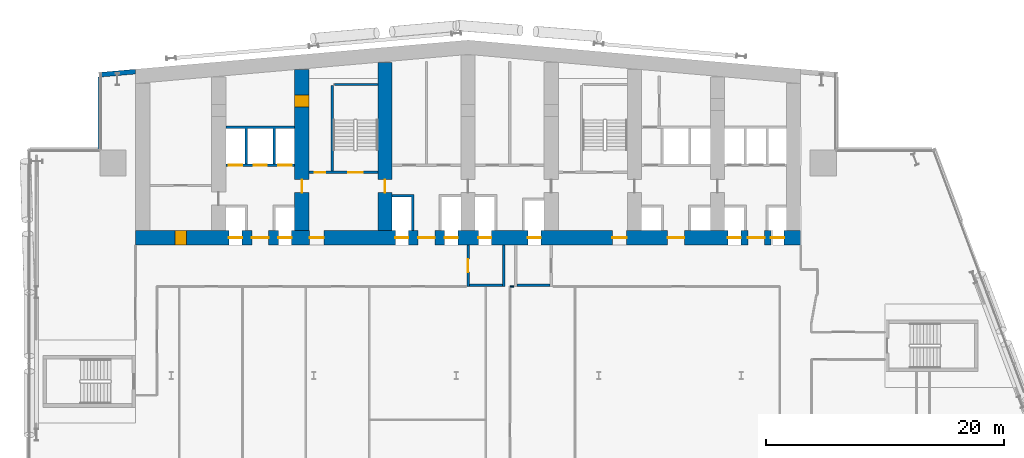
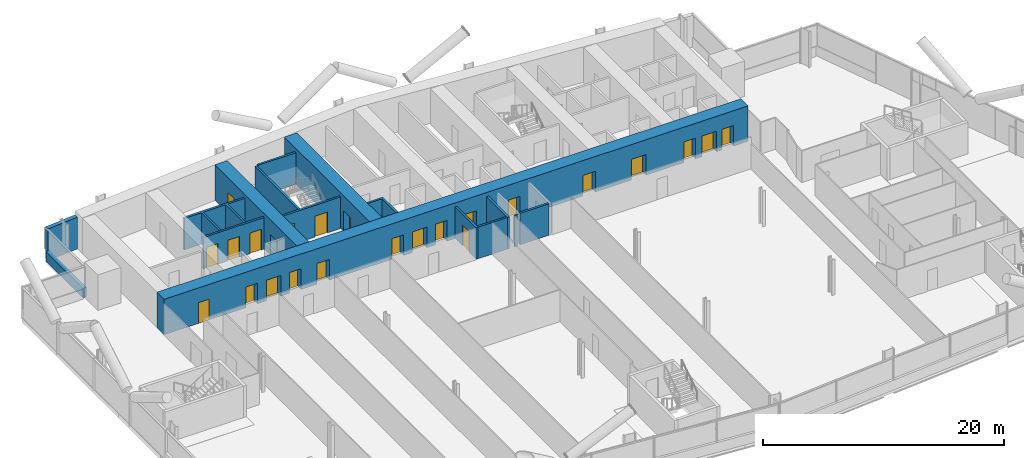
# One storey, part 14 of 25: 24 doors, 16 walls, 24 openings.
"""IFC4 building model written with IfcOpenShell, lengths in metres."""

from ifc_helpers import new_model, si_unit, direction, frame, frame_2d, origin, place, context, subcontext, project, spatial, polyline, rectangle, outline, extrude, material, layer, layer_set, type_object, element, fill, save


model = new_model("IFC4")

# Units and contexts
model_context = context("Model", 3, precision=1e-05, world=origin(), true_north=direction((0.0, 1.0)))
body_context = subcontext(model_context, "Body", "Model", "MODEL_VIEW")
ifc_project = project(units=[si_unit("LENGTHUNIT", "METRE"), si_unit("AREAUNIT", "SQUARE_METRE"), si_unit("VOLUMEUNIT", "CUBIC_METRE"), si_unit("PLANEANGLEUNIT", "RADIAN"), si_unit("MASSUNIT", "GRAM", prefix="KILO")], contexts=[model_context])

# Site, building, storey
site_placement = place(None, origin())
site = spatial("IfcSite", under=ifc_project, at=site_placement, CompositionType="ELEMENT")
building_placement = place(site_placement, origin())
building = spatial("IfcBuilding", under=site, at=building_placement, Name="Wharfspan Tower", CompositionType="ELEMENT")
storey_placement = place(building_placement, frame((0.0, 0.0, 70.300049)))
storey = spatial("IfcBuildingStorey", under=building, at=storey_placement, Name="L14", CompositionType="ELEMENT", Elevation=70.300049)

# Wall
ifc_material_1 = material(Name="Gypsum board on steel studs", Category="steel")
ifc_layer_1 = layer(ifc_material_1, 0.100098)
ifc_layer_set_1 = layer_set([ifc_layer_1], Name="Gypsum board on steel studs")
wall_type_1 = type_object("IfcWallType", Name="Compartment wall 100 EI 60", PredefinedType="PARTITIONING", material=ifc_layer_set_1)
wall_1_placement = place(storey_placement, frame((40.534912, 30.5, 0.0), z_axis=(0.0, 0.0, 1.0), x_axis=(1.0, 0.0, 0.0)))
element("IfcWall", 1, at=wall_1_placement, inside=storey, type_object=wall_type_1, Name="Partition L14.w018", PredefinedType="PARTITIONING", context=body_context, shape_type="SweptSolid", body=[
    extrude(rectangle(XDim=0.315186, YDim=0.100098, at=frame_2d((0.157715, 0.0))), origin(), (0.0, 0.0, 1.0), 3.199951),
])

# Wall, openings, doors
ifc_material_2 = material(Name="Concrete C70/85", Category="concrete")
ifc_layer_2 = layer(ifc_material_2, 1.199951)
ifc_layer_set_2 = layer_set([ifc_layer_2], Name="Concrete C70/85")
wall_type_2 = type_object("IfcWallType", Name="Core wall 1200 C70/85", PredefinedType="SHEAR", material=ifc_layer_set_2)
wall_2_placement = place(storey_placement, frame((9.0, 34.600098, 0.0), z_axis=(0.0, 0.0, 1.0), x_axis=(1.0, 0.0, 0.0)))
wall_2 = element("IfcWall", 2, at=wall_2_placement, inside=storey, type_object=wall_type_2, Name="Core front wall L14", PredefinedType="SHEAR", context=body_context, shape_type="SweptSolid", body=[
    extrude(rectangle(XDim=56.0, YDim=1.199951, at=frame_2d((28.0, 0.0))), origin(), (0.0, 0.0, 1.0), 3.599854),
])
opening_1_placement = place(wall_2_placement, frame((3.300049, 0.0, 0.0)))
opening_1 = element("IfcOpeningElement", 3, at=opening_1_placement, cuts=wall_2, Name="Opening CD14.01", PredefinedType="OPENING", context=body_context, shape_type="SweptSolid", body=[
    extrude(rectangle(XDim=1.0, YDim=2.100098, at=frame_2d((0.5, 1.050049))), frame((0.0, 0.609863, 0.0), z_axis=(0.0, -1.0, 0.0), x_axis=(1.0, 0.0, 0.0)), (0.0, 0.0, 1.0), 1.219971),
])
opening_2_placement = place(wall_2_placement, frame((7.866699, 0.0, 0.0)))
opening_2 = element("IfcOpeningElement", 4, at=opening_2_placement, cuts=wall_2, Name="Opening LD.LA1.L14", PredefinedType="OPENING", context=body_context, shape_type="SweptSolid", body=[
    extrude(rectangle(XDim=1.100098, YDim=2.100098, at=frame_2d((0.550049, 1.050049))), frame((0.0, 0.609863, 0.0), z_axis=(0.0, -1.0, 0.0), x_axis=(1.0, 0.0, 0.0)), (0.0, 0.0, 1.0), 1.219971),
])
opening_3_placement = place(wall_2_placement, frame((12.033203, 0.0, 0.0)))
opening_3 = element("IfcOpeningElement", 5, at=opening_3_placement, cuts=wall_2, Name="Opening LD.LA2.L14", PredefinedType="OPENING", context=body_context, shape_type="SweptSolid", body=[
    extrude(rectangle(XDim=1.100098, YDim=2.100098, at=frame_2d((0.550049, 1.050049))), frame((0.0, 0.609863, 0.0), z_axis=(0.0, -1.0, 0.0), x_axis=(1.0, 0.0, 0.0)), (0.0, 0.0, 1.0), 1.219971),
])
opening_4_placement = place(wall_2_placement, frame((9.800049, 0.0, 0.0)))
opening_4 = element("IfcOpeningElement", 6, at=opening_4_placement, cuts=wall_2, Name="Opening HD14.1", PredefinedType="OPENING", context=body_context, shape_type="SweptSolid", body=[
    extrude(rectangle(XDim=1.399902, YDim=2.100098, at=frame_2d((0.699951, 1.050049))), frame((0.0, 0.609863, 0.0), z_axis=(0.0, -1.0, 0.0), x_axis=(1.0, 0.0, 0.0)), (0.0, 0.0, 1.0), 1.219971),
])
opening_5_placement = place(wall_2_placement, frame((14.649902, 0.0, 0.0)))
opening_5 = element("IfcOpeningElement", 7, at=opening_5_placement, cuts=wall_2, Name="Opening SV2.L14", PredefinedType="OPENING", context=body_context, shape_type="SweptSolid", body=[
    extrude(rectangle(XDim=1.199951, YDim=2.100098, at=frame_2d((0.600098, 1.050049))), frame((0.0, 0.609863, 0.0), z_axis=(0.0, -1.0, 0.0), x_axis=(1.0, 0.0, 0.0)), (0.0, 0.0, 1.0), 1.219971),
])
opening_6_placement = place(wall_2_placement, frame((21.866699, 0.0, 0.0)))
opening_6 = element("IfcOpeningElement", 8, at=opening_6_placement, cuts=wall_2, Name="Opening LD.SL1.L14", PredefinedType="OPENING", context=body_context, shape_type="SweptSolid", body=[
    extrude(rectangle(XDim=1.100098, YDim=2.100098, at=frame_2d((0.550049, 1.050049))), frame((0.0, 0.609863, 0.0), z_axis=(0.0, -1.0, 0.0), x_axis=(1.0, 0.0, 0.0)), (0.0, 0.0, 1.0), 1.219971),
])
opening_7_placement = place(wall_2_placement, frame((26.033203, 0.0, 0.0)))
opening_7 = element("IfcOpeningElement", 9, at=opening_7_placement, cuts=wall_2, Name="Opening LD.SL2.L14", PredefinedType="OPENING", context=body_context, shape_type="SweptSolid", body=[
    extrude(rectangle(XDim=1.100098, YDim=2.100098, at=frame_2d((0.550049, 1.050049))), frame((0.0, 0.609863, 0.0), z_axis=(0.0, -1.0, 0.0), x_axis=(1.0, 0.0, 0.0)), (0.0, 0.0, 1.0), 1.219971),
])
opening_8_placement = place(wall_2_placement, frame((23.800049, 0.0, 0.0)))
opening_8 = element("IfcOpeningElement", 10, at=opening_8_placement, cuts=wall_2, Name="Opening HD14.3", PredefinedType="OPENING", context=body_context, shape_type="SweptSolid", body=[
    extrude(rectangle(XDim=1.399902, YDim=2.100098, at=frame_2d((0.699951, 1.050049))), frame((0.0, 0.609863, 0.0), z_axis=(0.0, -1.0, 0.0), x_axis=(1.0, 0.0, 0.0)), (0.0, 0.0, 1.0), 1.219971),
])
opening_9_placement = place(wall_2_placement, frame((28.866699, 0.0, 0.0)))
opening_9 = element("IfcOpeningElement", 11, at=opening_9_placement, cuts=wall_2, Name="Opening LD.FF1.L14", PredefinedType="OPENING", context=body_context, shape_type="SweptSolid", body=[
    extrude(rectangle(XDim=1.100098, YDim=2.100098, at=frame_2d((0.550049, 1.050049))), frame((0.0, 0.609863, 0.0), z_axis=(0.0, -1.0, 0.0), x_axis=(1.0, 0.0, 0.0)), (0.0, 0.0, 1.0), 1.219971),
])
opening_10_placement = place(wall_2_placement, frame((33.033203, 0.0, 0.0)))
opening_10 = element("IfcOpeningElement", 12, at=opening_10_placement, cuts=wall_2, Name="Opening LD.FF2.L14", PredefinedType="OPENING", context=body_context, shape_type="SweptSolid", body=[
    extrude(rectangle(XDim=1.100098, YDim=2.100098, at=frame_2d((0.550049, 1.050049))), frame((0.0, 0.609863, 0.0), z_axis=(0.0, -1.0, 0.0), x_axis=(1.0, 0.0, 0.0)), (0.0, 0.0, 1.0), 1.219971),
])
opening_11_placement = place(wall_2_placement, frame((40.149902, 0.0, 0.0)))
opening_11 = element("IfcOpeningElement", 13, at=opening_11_placement, cuts=wall_2, Name="Opening SV5.L14", PredefinedType="OPENING", context=body_context, shape_type="SweptSolid", body=[
    extrude(rectangle(XDim=1.199951, YDim=2.100098, at=frame_2d((0.600098, 1.050049))), frame((0.0, 0.609863, 0.0), z_axis=(0.0, -1.0, 0.0), x_axis=(1.0, 0.0, 0.0)), (0.0, 0.0, 1.0), 1.219971),
])
opening_12_placement = place(wall_2_placement, frame((44.800049, 0.0, 0.0)))
opening_12 = element("IfcOpeningElement", 14, at=opening_12_placement, cuts=wall_2, Name="Opening HD14.6", PredefinedType="OPENING", context=body_context, shape_type="SweptSolid", body=[
    extrude(rectangle(XDim=1.399902, YDim=2.100098, at=frame_2d((0.699951, 1.050049))), frame((0.0, 0.609863, 0.0), z_axis=(0.0, -1.0, 0.0), x_axis=(1.0, 0.0, 0.0)), (0.0, 0.0, 1.0), 1.219971),
])
opening_13_placement = place(wall_2_placement, frame((49.866699, 0.0, 0.0)))
opening_13 = element("IfcOpeningElement", 15, at=opening_13_placement, cuts=wall_2, Name="Opening LD.LA6.L14", PredefinedType="OPENING", context=body_context, shape_type="SweptSolid", body=[
    extrude(rectangle(XDim=1.100098, YDim=2.100098, at=frame_2d((0.550049, 1.050049))), frame((0.0, 0.609863, 0.0), z_axis=(0.0, -1.0, 0.0), x_axis=(1.0, 0.0, 0.0)), (0.0, 0.0, 1.0), 1.219971),
])
opening_14_placement = place(wall_2_placement, frame((53.5, 0.0, 0.0)))
opening_14 = element("IfcOpeningElement", 16, at=opening_14_placement, cuts=wall_2, Name="Opening LD.LA7.L14", PredefinedType="OPENING", context=body_context, shape_type="SweptSolid", body=[
    extrude(rectangle(XDim=1.100098, YDim=2.100098, at=frame_2d((0.550049, 1.050049))), frame((0.0, 0.609863, 0.0), z_axis=(0.0, -1.0, 0.0), x_axis=(1.0, 0.0, 0.0)), (0.0, 0.0, 1.0), 1.219971),
])
opening_15_placement = place(wall_2_placement, frame((51.56665, 0.0, 0.0)))
opening_15 = element("IfcOpeningElement", 17, at=opening_15_placement, cuts=wall_2, Name="Opening HD14.7", PredefinedType="OPENING", context=body_context, shape_type="SweptSolid", body=[
    extrude(rectangle(XDim=1.399902, YDim=2.100098, at=frame_2d((0.699951, 1.050049))), frame((0.0, 0.609863, 0.0), z_axis=(0.0, -1.0, 0.0), x_axis=(1.0, 0.0, 0.0)), (0.0, 0.0, 1.0), 1.219971),
])
ifc_material_3 = material(Name="Steel door leaf", Category="steel")
door_type_1 = type_object("IfcDoorType", Name="Core room door 1000x2100", OperationType="SINGLE_SWING_LEFT", PredefinedType="DOOR", material=ifc_material_3)
door_1_placement = place(opening_1_placement, origin())
door_1 = element("IfcDoor", 18, at=door_1_placement, inside=storey, type_object=door_type_1, Name="d:L14:0:rf", OperationType="SINGLE_SWING_LEFT", OverallHeight=2.100098, OverallWidth=1.0, PredefinedType="DOOR", context=body_context, shape_type="SweptSolid", body=[
    extrude(rectangle(XDim=1.0, YDim=2.100098, at=frame_2d((0.5, 1.050049))), frame((0.0, 0.599609, 0.0), z_axis=(0.0, -1.0, 0.0), x_axis=(1.0, 0.0, 0.0)), (0.0, 0.0, 1.0), 1.199463),
])
fill(opening_1, door_1)
door_type_2 = type_object("IfcDoorType", Name="Hall entry door 1400x2100", OperationType="DOUBLE_DOOR_SINGLE_SWING", PredefinedType="DOOR", material=ifc_material_3)
door_2_placement = place(opening_4_placement, origin())
door_2 = element("IfcDoor", 19, at=door_2_placement, inside=storey, type_object=door_type_2, Name="d:L14:1:hd1", OperationType="DOUBLE_DOOR_SINGLE_SWING", OverallHeight=2.100098, OverallWidth=1.399902, PredefinedType="DOOR", context=body_context, shape_type="SweptSolid", body=[
    extrude(rectangle(XDim=1.399902, YDim=2.100098, at=frame_2d((0.699951, 1.050049))), frame((0.0, 0.024902, 0.0), z_axis=(0.0, -1.0, 0.0), x_axis=(1.0, 0.0, 0.0)), (0.0, 0.0, 1.0), 0.050049),
])
fill(opening_4, door_2)
door_3_placement = place(opening_8_placement, origin())
door_3 = element("IfcDoor", 20, at=door_3_placement, inside=storey, type_object=door_type_2, Name="d:L14:3:hd3", OperationType="DOUBLE_DOOR_SINGLE_SWING", OverallHeight=2.100098, OverallWidth=1.399902, PredefinedType="DOOR", context=body_context, shape_type="SweptSolid", body=[
    extrude(rectangle(XDim=1.399902, YDim=2.100098, at=frame_2d((0.699951, 1.050049))), frame((0.0, 0.024902, 0.0), z_axis=(0.0, -1.0, 0.0), x_axis=(1.0, 0.0, 0.0)), (0.0, 0.0, 1.0), 0.050049),
])
fill(opening_8, door_3)
door_4_placement = place(opening_12_placement, origin())
door_4 = element("IfcDoor", 21, at=door_4_placement, inside=storey, type_object=door_type_2, Name="d:L14:6:hd6", OperationType="DOUBLE_DOOR_SINGLE_SWING", OverallHeight=2.100098, OverallWidth=1.399902, PredefinedType="DOOR", context=body_context, shape_type="SweptSolid", body=[
    extrude(rectangle(XDim=1.399902, YDim=2.100098, at=frame_2d((0.699951, 1.050049))), frame((0.0, 0.024902, 0.0), z_axis=(0.0, -1.0, 0.0), x_axis=(1.0, 0.0, 0.0)), (0.0, 0.0, 1.0), 0.050049),
])
fill(opening_12, door_4)
door_5_placement = place(opening_15_placement, origin())
door_5 = element("IfcDoor", 22, at=door_5_placement, inside=storey, type_object=door_type_2, Name="d:L14:7:hd7", OperationType="DOUBLE_DOOR_SINGLE_SWING", OverallHeight=2.100098, OverallWidth=1.399902, PredefinedType="DOOR", context=body_context, shape_type="SweptSolid", body=[
    extrude(rectangle(XDim=1.399902, YDim=2.100098, at=frame_2d((0.699951, 1.050049))), frame((0.0, 0.024902, 0.0), z_axis=(0.0, -1.0, 0.0), x_axis=(1.0, 0.0, 0.0)), (0.0, 0.0, 1.0), 0.050049),
])
fill(opening_15, door_5)
ifc_material_4 = material(Name="Stainless steel", Category="steel")
door_type_3 = type_object("IfcDoorType", Name="Lift landing door 1100x2100", OperationType="DOUBLE_DOOR_SLIDING", PredefinedType="DOOR", material=ifc_material_4)
door_6_placement = place(opening_2_placement, origin())
door_6 = element("IfcDoor", 23, at=door_6_placement, inside=storey, type_object=door_type_3, Name="Landing door LA1 L14", OperationType="DOUBLE_DOOR_SLIDING", OverallHeight=2.100098, OverallWidth=1.100098, PredefinedType="DOOR", context=body_context, shape_type="SweptSolid", body=[
    extrude(rectangle(XDim=1.100098, YDim=2.100098, at=frame_2d((0.550049, 1.050049))), frame((0.0, 0.024902, 0.0), z_axis=(0.0, -1.0, 0.0), x_axis=(1.0, 0.0, 0.0)), (0.0, 0.0, 1.0), 0.050049),
])
fill(opening_2, door_6)
door_7_placement = place(opening_3_placement, origin())
door_7 = element("IfcDoor", 24, at=door_7_placement, inside=storey, type_object=door_type_3, Name="Landing door LA2 L14", OperationType="DOUBLE_DOOR_SLIDING", OverallHeight=2.100098, OverallWidth=1.100098, PredefinedType="DOOR", context=body_context, shape_type="SweptSolid", body=[
    extrude(rectangle(XDim=1.100098, YDim=2.100098, at=frame_2d((0.550049, 1.050049))), frame((0.0, 0.024902, 0.0), z_axis=(0.0, -1.0, 0.0), x_axis=(1.0, 0.0, 0.0)), (0.0, 0.0, 1.0), 0.050049),
])
fill(opening_3, door_7)
door_8_placement = place(opening_6_placement, origin())
door_8 = element("IfcDoor", 25, at=door_8_placement, inside=storey, type_object=door_type_3, Name="Landing door SL1 L14", OperationType="DOUBLE_DOOR_SLIDING", OverallHeight=2.100098, OverallWidth=1.100098, PredefinedType="DOOR", context=body_context, shape_type="SweptSolid", body=[
    extrude(rectangle(XDim=1.100098, YDim=2.100098, at=frame_2d((0.550049, 1.050049))), frame((0.0, 0.024902, 0.0), z_axis=(0.0, -1.0, 0.0), x_axis=(1.0, 0.0, 0.0)), (0.0, 0.0, 1.0), 0.050049),
])
fill(opening_6, door_8)
door_9_placement = place(opening_7_placement, origin())
door_9 = element("IfcDoor", 26, at=door_9_placement, inside=storey, type_object=door_type_3, Name="Landing door SL2 L14", OperationType="DOUBLE_DOOR_SLIDING", OverallHeight=2.100098, OverallWidth=1.100098, PredefinedType="DOOR", context=body_context, shape_type="SweptSolid", body=[
    extrude(rectangle(XDim=1.100098, YDim=2.100098, at=frame_2d((0.550049, 1.050049))), frame((0.0, 0.024902, 0.0), z_axis=(0.0, -1.0, 0.0), x_axis=(1.0, 0.0, 0.0)), (0.0, 0.0, 1.0), 0.050049),
])
fill(opening_7, door_9)
door_10_placement = place(opening_9_placement, origin())
door_10 = element("IfcDoor", 27, at=door_10_placement, inside=storey, type_object=door_type_3, Name="Landing door FF1 L14", OperationType="DOUBLE_DOOR_SLIDING", OverallHeight=2.100098, OverallWidth=1.100098, PredefinedType="DOOR", context=body_context, shape_type="SweptSolid", body=[
    extrude(rectangle(XDim=1.100098, YDim=2.100098, at=frame_2d((0.550049, 1.050049))), frame((0.0, 0.024902, 0.0), z_axis=(0.0, -1.0, 0.0), x_axis=(1.0, 0.0, 0.0)), (0.0, 0.0, 1.0), 0.050049),
])
fill(opening_9, door_10)
door_11_placement = place(opening_10_placement, origin())
door_11 = element("IfcDoor", 28, at=door_11_placement, inside=storey, type_object=door_type_3, Name="Landing door FF2 L14", OperationType="DOUBLE_DOOR_SLIDING", OverallHeight=2.100098, OverallWidth=1.100098, PredefinedType="DOOR", context=body_context, shape_type="SweptSolid", body=[
    extrude(rectangle(XDim=1.100098, YDim=2.100098, at=frame_2d((0.550049, 1.050049))), frame((0.0, 0.024902, 0.0), z_axis=(0.0, -1.0, 0.0), x_axis=(1.0, 0.0, 0.0)), (0.0, 0.0, 1.0), 0.050049),
])
fill(opening_10, door_11)
door_12_placement = place(opening_13_placement, origin())
door_12 = element("IfcDoor", 29, at=door_12_placement, inside=storey, type_object=door_type_3, Name="Landing door LA6 L14", OperationType="DOUBLE_DOOR_SLIDING", OverallHeight=2.100098, OverallWidth=1.100098, PredefinedType="DOOR", context=body_context, shape_type="SweptSolid", body=[
    extrude(rectangle(XDim=1.100098, YDim=2.100098, at=frame_2d((0.550049, 1.050049))), frame((0.0, 0.024902, 0.0), z_axis=(0.0, -1.0, 0.0), x_axis=(1.0, 0.0, 0.0)), (0.0, 0.0, 1.0), 0.050049),
])
fill(opening_13, door_12)
door_13_placement = place(opening_14_placement, origin())
door_13 = element("IfcDoor", 30, at=door_13_placement, inside=storey, type_object=door_type_3, Name="Landing door LA7 L14", OperationType="DOUBLE_DOOR_SLIDING", OverallHeight=2.100098, OverallWidth=1.100098, PredefinedType="DOOR", context=body_context, shape_type="SweptSolid", body=[
    extrude(rectangle(XDim=1.100098, YDim=2.100098, at=frame_2d((0.550049, 1.050049))), frame((0.0, 0.024902, 0.0), z_axis=(0.0, -1.0, 0.0), x_axis=(1.0, 0.0, 0.0)), (0.0, 0.0, 1.0), 0.050049),
])
fill(opening_14, door_13)
door_type_4 = type_object("IfcDoorType", Name="Stair door 1200x2100", OperationType="SINGLE_SWING_LEFT", PredefinedType="DOOR", material=ifc_material_3)
door_14_placement = place(opening_5_placement, origin())
door_14 = element("IfcDoor", 31, at=door_14_placement, inside=storey, type_object=door_type_4, Name="vd:L14:2", OperationType="SINGLE_SWING_LEFT", OverallHeight=2.100098, OverallWidth=1.199951, PredefinedType="DOOR", context=body_context, shape_type="SweptSolid", body=[
    extrude(rectangle(XDim=1.199951, YDim=2.100098, at=frame_2d((0.600098, 1.050049))), frame((0.0, 0.024902, 0.0), z_axis=(0.0, -1.0, 0.0), x_axis=(1.0, 0.0, 0.0)), (0.0, 0.0, 1.0), 0.050049),
])
fill(opening_5, door_14)
door_15_placement = place(opening_11_placement, origin())
door_15 = element("IfcDoor", 32, at=door_15_placement, inside=storey, type_object=door_type_4, Name="vd:L14:5", OperationType="SINGLE_SWING_LEFT", OverallHeight=2.100098, OverallWidth=1.199951, PredefinedType="DOOR", context=body_context, shape_type="SweptSolid", body=[
    extrude(rectangle(XDim=1.199951, YDim=2.100098, at=frame_2d((0.600098, 1.050049))), frame((0.0, 0.024902, 0.0), z_axis=(0.0, -1.0, 0.0), x_axis=(1.0, 0.0, 0.0)), (0.0, 0.0, 1.0), 0.050049),
])
fill(opening_11, door_15)

wall_3_placement = place(storey_placement, frame((23.0, 35.199951, 0.0), z_axis=(0.0, 0.0, 1.0), x_axis=(0.0, 1.0, 0.0)))
wall_3 = element("IfcWall", 33, at=wall_3_placement, inside=storey, type_object=wall_type_2, Name="Core cross wall X2 L14", PredefinedType="SHEAR", context=body_context, shape_type="SweptSolid", body=[
    extrude(rectangle(XDim=13.555176, YDim=1.199951, at=frame_2d((6.777588, 0.0))), origin(), (0.0, 0.0, 1.0), 3.599854),
])
opening_16_placement = place(wall_3_placement, frame((10.413818, 0.0, 0.0)))
opening_16 = element("IfcOpeningElement", 34, at=opening_16_placement, cuts=wall_3, Name="Opening CD14.1X", PredefinedType="OPENING", context=body_context, shape_type="SweptSolid", body=[
    extrude(rectangle(XDim=1.0, YDim=2.100098, at=frame_2d((0.5, 1.050049))), frame((0.0, 0.609863, 0.0), z_axis=(0.0, -1.0, 0.0), x_axis=(1.0, 0.0, 0.0)), (0.0, 0.0, 1.0), 1.219971),
])
opening_17_placement = place(wall_3_placement, frame((3.199951, 0.0, 0.0)))
opening_17 = element("IfcOpeningElement", 35, at=opening_17_placement, cuts=wall_3, Name="Opening CC14.2", PredefinedType="OPENING", context=body_context, shape_type="SweptSolid", body=[
    extrude(rectangle(XDim=1.100098, YDim=2.100098, at=frame_2d((0.550049, 1.050049))), frame((0.0, 0.609863, 0.0), z_axis=(0.0, -1.0, 0.0), x_axis=(1.0, 0.0, 0.0)), (0.0, 0.0, 1.0), 1.219971),
])
door_type_5 = type_object("IfcDoorType", Name="Core corridor door 1100x2100", OperationType="SINGLE_SWING_LEFT", PredefinedType="DOOR", material=ifc_material_3)
door_16_placement = place(opening_17_placement, origin())
door_16 = element("IfcDoor", 36, at=door_16_placement, inside=storey, type_object=door_type_5, Name="xd:L14:2", OperationType="SINGLE_SWING_RIGHT", OverallHeight=2.100098, OverallWidth=1.100098, PredefinedType="DOOR", context=body_context, shape_type="SweptSolid", body=[
    extrude(rectangle(XDim=1.100098, YDim=2.100098, at=frame_2d((0.550049, 1.050049))), frame((0.0, 0.024902, 0.0), z_axis=(0.0, -1.0, 0.0), x_axis=(1.0, 0.0, 0.0)), (0.0, 0.0, 1.0), 0.050049),
])
fill(opening_17, door_16)
door_17_placement = place(opening_16_placement, origin())
door_17 = element("IfcDoor", 37, at=door_17_placement, inside=storey, type_object=door_type_1, Name="d:L14:1:sx", OperationType="SINGLE_SWING_LEFT", OverallHeight=2.100098, OverallWidth=1.0, PredefinedType="DOOR", context=body_context, shape_type="SweptSolid", body=[
    extrude(rectangle(XDim=1.0, YDim=2.100098, at=frame_2d((0.5, 1.050049))), frame((0.0, 0.599609, 0.0), z_axis=(0.0, -1.0, 0.0), x_axis=(1.0, 0.0, 0.0)), (0.0, 0.0, 1.0), 1.199463),
])
fill(opening_16, door_17)

# Wall, opening, door
wall_4_placement = place(storey_placement, frame((30.0, 35.199951, 0.0), z_axis=(0.0, 0.0, 1.0), x_axis=(0.0, 1.0, 0.0)))
wall_4 = element("IfcWall", 38, at=wall_4_placement, inside=storey, type_object=wall_type_2, Name="Core cross wall X3 L14", PredefinedType="SHEAR", context=body_context, shape_type="SweptSolid", body=[
    extrude(rectangle(XDim=14.167725, YDim=1.199951, at=frame_2d((7.083984, 0.0))), origin(), (0.0, 0.0, 1.0), 3.599854),
])
opening_18_placement = place(wall_4_placement, frame((3.199951, 0.0, 0.0)))
opening_18 = element("IfcOpeningElement", 39, at=opening_18_placement, cuts=wall_4, Name="Opening CC14.3", PredefinedType="OPENING", context=body_context, shape_type="SweptSolid", body=[
    extrude(rectangle(XDim=1.100098, YDim=2.100098, at=frame_2d((0.550049, 1.050049))), frame((0.0, 0.609863, 0.0), z_axis=(0.0, -1.0, 0.0), x_axis=(1.0, 0.0, 0.0)), (0.0, 0.0, 1.0), 1.219971),
])
door_18_placement = place(opening_18_placement, origin())
door_18 = element("IfcDoor", 40, at=door_18_placement, inside=storey, type_object=door_type_5, Name="xd:L14:3", OperationType="SINGLE_SWING_LEFT", OverallHeight=2.100098, OverallWidth=1.100098, PredefinedType="DOOR", context=body_context, shape_type="SweptSolid", body=[
    extrude(rectangle(XDim=1.100098, YDim=2.100098, at=frame_2d((0.550049, 1.050049))), frame((0.0, 0.024902, 0.0), z_axis=(0.0, -1.0, 0.0), x_axis=(1.0, 0.0, 0.0)), (0.0, 0.0, 1.0), 0.050049),
])
fill(opening_18, door_18)

# Wall, openings, doors
ifc_material_5 = material(Name="Concrete C30/37", Category="concrete")
ifc_layer_3 = layer(ifc_material_5, 0.199951)
ifc_layer_set_3 = layer_set([ifc_layer_3], Name="Concrete C30/37")
wall_type_3 = type_object("IfcWallType", Name="Lift shaft wall 200", PredefinedType="PARTITIONING", material=ifc_layer_set_3)
wall_5_placement = place(storey_placement, frame((16.600098, 40.699951, 0.0), z_axis=(0.0, 0.0, 1.0), x_axis=(1.0, 0.0, 0.0)))
wall_5 = element("IfcWall", 41, at=wall_5_placement, inside=storey, type_object=wall_type_3, Name="sw:L14:RF1", PredefinedType="PARTITIONING", context=body_context, shape_type="SweptSolid", body=[
    extrude(rectangle(XDim=5.799805, YDim=0.199951, at=frame_2d((2.899902, 0.0))), origin(), (0.0, 0.0, 1.0), 3.199951),
])
opening_19_placement = place(wall_5_placement, frame((0.266602, 0.0, 0.0)))
opening_19 = element("IfcOpeningElement", 42, at=opening_19_placement, cuts=wall_5, Name="Opening LD.LA3.L14", PredefinedType="OPENING", context=body_context, shape_type="SweptSolid", body=[
    extrude(rectangle(XDim=1.100098, YDim=2.100098, at=frame_2d((0.550049, 1.050049))), frame((0.0, 0.109863, 0.0), z_axis=(0.0, -1.0, 0.0), x_axis=(1.0, 0.0, 0.0)), (0.0, 0.0, 1.0), 0.219971),
])
opening_20_placement = place(wall_5_placement, frame((2.350098, 0.0, 0.0)))
opening_20 = element("IfcOpeningElement", 43, at=opening_20_placement, cuts=wall_5, Name="Opening LD.LA4.L14", PredefinedType="OPENING", context=body_context, shape_type="SweptSolid", body=[
    extrude(rectangle(XDim=1.100098, YDim=2.100098, at=frame_2d((0.550049, 1.050049))), frame((0.0, 0.109863, 0.0), z_axis=(0.0, -1.0, 0.0), x_axis=(1.0, 0.0, 0.0)), (0.0, 0.0, 1.0), 0.219971),
])
opening_21_placement = place(wall_5_placement, frame((4.43335, 0.0, 0.0)))
opening_21 = element("IfcOpeningElement", 44, at=opening_21_placement, cuts=wall_5, Name="Opening LD.LA5.L14", PredefinedType="OPENING", context=body_context, shape_type="SweptSolid", body=[
    extrude(rectangle(XDim=1.100098, YDim=2.100098, at=frame_2d((0.550049, 1.050049))), frame((0.0, 0.109863, 0.0), z_axis=(0.0, -1.0, 0.0), x_axis=(1.0, 0.0, 0.0)), (0.0, 0.0, 1.0), 0.219971),
])
door_19_placement = place(opening_19_placement, origin())
door_19 = element("IfcDoor", 45, at=door_19_placement, inside=storey, type_object=door_type_3, Name="Landing door LA3 L14", OperationType="DOUBLE_DOOR_SLIDING", OverallHeight=2.100098, OverallWidth=1.100098, PredefinedType="DOOR", context=body_context, shape_type="SweptSolid", body=[
    extrude(rectangle(XDim=1.100098, YDim=2.100098, at=frame_2d((0.550049, 1.050049))), frame((0.0, 0.024902, 0.0), z_axis=(0.0, -1.0, 0.0), x_axis=(1.0, 0.0, 0.0)), (0.0, 0.0, 1.0), 0.050049),
])
fill(opening_19, door_19)
door_20_placement = place(opening_20_placement, origin())
door_20 = element("IfcDoor", 46, at=door_20_placement, inside=storey, type_object=door_type_3, Name="Landing door LA4 L14", OperationType="DOUBLE_DOOR_SLIDING", OverallHeight=2.100098, OverallWidth=1.100098, PredefinedType="DOOR", context=body_context, shape_type="SweptSolid", body=[
    extrude(rectangle(XDim=1.100098, YDim=2.100098, at=frame_2d((0.550049, 1.050049))), frame((0.0, 0.024902, 0.0), z_axis=(0.0, -1.0, 0.0), x_axis=(1.0, 0.0, 0.0)), (0.0, 0.0, 1.0), 0.050049),
])
fill(opening_20, door_20)
door_21_placement = place(opening_21_placement, origin())
door_21 = element("IfcDoor", 47, at=door_21_placement, inside=storey, type_object=door_type_3, Name="Landing door LA5 L14", OperationType="DOUBLE_DOOR_SLIDING", OverallHeight=2.100098, OverallWidth=1.100098, PredefinedType="DOOR", context=body_context, shape_type="SweptSolid", body=[
    extrude(rectangle(XDim=1.100098, YDim=2.100098, at=frame_2d((0.550049, 1.050049))), frame((0.0, 0.024902, 0.0), z_axis=(0.0, -1.0, 0.0), x_axis=(1.0, 0.0, 0.0)), (0.0, 0.0, 1.0), 0.050049),
])
fill(opening_21, door_21)

# Walls
wall_6_placement = place(storey_placement, frame((0.0, 0.0, -0.000244)))
element("IfcWall", 48, at=wall_6_placement, inside=storey, type_object=wall_type_3, Name="sw:L14:RM1.0", PredefinedType="PARTITIONING", context=body_context, shape_type="SweptSolid", body=[
    extrude(outline(polyline([(18.43335, 40.800049), (18.233398, 40.800049), (18.233398, 43.800049), (16.600098, 43.800049), (16.600098, 44.0), (22.399902, 44.0), (22.399902, 43.800049), (20.766602, 43.800049), (20.766602, 40.800049), (20.56665, 40.800049), (20.56665, 43.800049), (18.43335, 43.800049), (18.43335, 40.800049)])), origin(), (0.0, 0.0, 1.0), 3.200195),
])
wall_7_placement = place(storey_placement, frame((0.0, 0.0, -0.000244)))
element("IfcWall", 49, at=wall_7_placement, inside=storey, type_object=wall_type_3, Name="sw:L14:FM3.0", PredefinedType="PARTITIONING", context=body_context, shape_type="SweptSolid", body=[
    extrude(outline(polyline([(32.233398, 38.050049), (30.600098, 38.050049), (30.600098, 38.25), (32.233398, 38.25), (32.43335, 38.25), (32.43335, 35.199951), (32.233398, 35.199951), (32.233398, 38.050049)])), origin(), (0.0, 0.0, 1.0), 3.200195),
])

# Wall, opening, door
ifc_layer_4 = layer(ifc_material_5, 0.199951)
ifc_layer_set_4 = layer_set([ifc_layer_4], Name="Concrete C30/37")
wall_type_4 = type_object("IfcWallType", Name="Lobby wall 200", PredefinedType="PARTITIONING", material=ifc_layer_set_4)
wall_8_placement = place(storey_placement, frame((37.0, 30.5, 0.0), z_axis=(0.0, 0.0, 1.0), x_axis=(0.0, 1.0, 0.0)))
wall_8 = element("IfcWall", 50, at=wall_8_placement, inside=storey, type_object=wall_type_4, Name="sw:L14:FLFF1W", PredefinedType="PARTITIONING", context=body_context, shape_type="SweptSolid", body=[
    extrude(rectangle(XDim=3.5, YDim=0.199951, at=frame_2d((1.75, 0.0))), origin(), (0.0, 0.0, 1.0), 3.199951),
])
opening_22_placement = place(wall_8_placement, frame((1.199951, 0.0, 0.0)))
opening_22 = element("IfcOpeningElement", 51, at=opening_22_placement, cuts=wall_8, Name="Opening FL.FF1.L14", PredefinedType="OPENING", context=body_context, shape_type="SweptSolid", body=[
    extrude(rectangle(XDim=1.100098, YDim=2.100098, at=frame_2d((0.550049, 1.050049))), frame((0.0, 0.109863, 0.0), z_axis=(0.0, -1.0, 0.0), x_axis=(1.0, 0.0, 0.0)), (0.0, 0.0, 1.0), 0.219971),
])
door_type_6 = type_object("IfcDoorType", Name="Firefighting lobby door 1100x2100", OperationType="SINGLE_SWING_LEFT", PredefinedType="DOOR", material=ifc_material_3)
door_22_placement = place(opening_22_placement, origin())
door_22 = element("IfcDoor", 52, at=door_22_placement, inside=storey, type_object=door_type_6, Name="fd:L14:FF1", OperationType="SINGLE_SWING_LEFT", OverallHeight=2.100098, OverallWidth=1.100098, PredefinedType="DOOR", context=body_context, shape_type="SweptSolid", body=[
    extrude(rectangle(XDim=1.100098, YDim=2.100098, at=frame_2d((0.550049, 1.050049))), frame((0.0, 0.024902, 0.0), z_axis=(0.0, -1.0, 0.0), x_axis=(1.0, 0.0, 0.0)), (0.0, 0.0, 1.0), 0.050049),
])
fill(opening_22, door_22)

# Walls
wall_9_placement = place(storey_placement, frame((40.0, 30.5, 0.0), z_axis=(0.0, 0.0, 1.0), x_axis=(0.0, 1.0, 0.0)))
element("IfcWall", 53, at=wall_9_placement, inside=storey, type_object=wall_type_4, Name="sw:L14:FLFF1E", PredefinedType="PARTITIONING", context=body_context, shape_type="SweptSolid", body=[
    extrude(rectangle(XDim=3.5, YDim=0.199951, at=frame_2d((1.75, 0.0))), origin(), (0.0, 0.0, 1.0), 3.199951),
])
for number, where, z_axis, x_axis, name in (
    (54, (37.100098, 30.600098, 0.0), (0.0, 0.0, 1.0), (1.0, 0.0, 0.0), "sw:L14:FLFF1F"),
    (55, (41.100098, 30.600098, 0.0), (0.0, 0.0, 1.0), (1.0, 0.0, 0.0), "sw:L14:FLFF2F"),
):
    element("IfcWall", number, at=place(storey_placement, frame(where, z_axis=z_axis, x_axis=x_axis)), inside=storey, type_object=wall_type_4, Name=name, PredefinedType="PARTITIONING", context=body_context, shape_type="SweptSolid", body=[
        extrude(rectangle(XDim=2.799805, YDim=0.199951, at=frame_2d((1.399902, 0.0))), origin(), (0.0, 0.0, 1.0), 3.199951),
    ])
ifc_material_6 = material(Name="Concrete C40/50", Category="concrete")
ifc_layer_5 = layer(ifc_material_6, 0.350098)
ifc_layer_set_5 = layer_set([ifc_layer_5], Name="Concrete C40/50")
wall_type_5 = type_object("IfcWallType", Name="SPANDREL EXPOSED CONCRETE 350", PredefinedType="SOLIDWALL", material=ifc_layer_set_5)
wall_10_placement = place(storey_placement, frame((5.995117, 48.126465, 0.0), z_axis=(0.0, 0.0, 1.0), x_axis=(0.0, -1.0, 0.0)))
element("IfcWall", 56, at=wall_10_placement, inside=storey, type_object=wall_type_5, Name="Spandrel upstand L14 NRW-V", PredefinedType="SOLIDWALL", context=body_context, shape_type="SweptSolid", body=[
    extrude(rectangle(XDim=6.126465, YDim=0.350098, at=frame_2d((3.063232, 0.0))), origin(), (0.0, 0.0, 1.0), 1.0),
])

# Wall, openings, doors
ifc_layer_6 = layer(ifc_material_6, 0.199951)
ifc_layer_set_6 = layer_set([ifc_layer_6], Name="Concrete C40/50")
wall_type_6 = type_object("IfcWallType", Name="Stair shaft wall 200", PredefinedType="SHEAR", material=ifc_layer_set_6)
wall_11_placement = place(storey_placement, frame((23.600098, 40.100098, 0.0), z_axis=(0.0, 0.0, 1.0), x_axis=(1.0, 0.0, 0.0)))
wall_11 = element("IfcWall", 57, at=wall_11_placement, inside=storey, type_object=wall_type_6, Name="ST1 stair enclosure wall L14", PredefinedType="SHEAR", context=body_context, shape_type="SweptSolid", body=[
    extrude(rectangle(XDim=5.799805, YDim=0.199951, at=frame_2d((2.899902, 0.0))), origin(), (0.0, 0.0, 1.0), 3.199951),
])
opening_23_placement = place(wall_11_placement, frame((3.324951, 0.0, 0.0)))
opening_23 = element("IfcOpeningElement", 58, at=opening_23_placement, cuts=wall_11, Name="Opening SD2.L14", PredefinedType="OPENING", context=body_context, shape_type="SweptSolid", body=[
    extrude(rectangle(XDim=1.199951, YDim=2.100098, at=frame_2d((0.600098, 1.050049))), frame((0.0, 0.109863, 0.0), z_axis=(0.0, -1.0, 0.0), x_axis=(1.0, 0.0, 0.0)), (0.0, 0.0, 1.0), 0.219971),
])
opening_24_placement = place(wall_11_placement, frame((0.475098, 0.0, 0.0)))
opening_24 = element("IfcOpeningElement", 59, at=opening_24_placement, cuts=wall_11, Name="Opening CD14.2R", PredefinedType="OPENING", context=body_context, shape_type="SweptSolid", body=[
    extrude(rectangle(XDim=0.899902, YDim=2.100098, at=frame_2d((0.449951, 1.050049))), frame((0.0, 0.109863, 0.0), z_axis=(0.0, -1.0, 0.0), x_axis=(1.0, 0.0, 0.0)), (0.0, 0.0, 1.0), 0.219971),
])
door_23_placement = place(opening_24_placement, origin())
door_23 = element("IfcDoor", 60, at=door_23_placement, inside=storey, type_object=door_type_1, Name="rk:L14:2", OperationType="SINGLE_SWING_LEFT", OverallHeight=2.100098, OverallWidth=0.899902, PredefinedType="DOOR", context=body_context, shape_type="SweptSolid", body=[
    extrude(rectangle(XDim=0.899902, YDim=2.100098, at=frame_2d((0.449951, 1.050049))), frame((0.0, 0.024902, 0.0), z_axis=(0.0, -1.0, 0.0), x_axis=(1.0, 0.0, 0.0)), (0.0, 0.0, 1.0), 0.050049),
])
fill(opening_24, door_23)
door_24_placement = place(opening_23_placement, origin())
door_24 = element("IfcDoor", 61, at=door_24_placement, inside=storey, type_object=door_type_4, Name="sd:L14:2", OperationType="SINGLE_SWING_RIGHT", OverallHeight=2.100098, OverallWidth=1.199951, PredefinedType="DOOR", context=body_context, shape_type="SweptSolid", body=[
    extrude(rectangle(XDim=1.199951, YDim=2.100098, at=frame_2d((0.600098, 1.050049))), frame((0.0, 0.024902, 0.0), z_axis=(0.0, -1.0, 0.0), x_axis=(1.0, 0.0, 0.0)), (0.0, 0.0, 1.0), 0.050049),
])
fill(opening_23, door_24)

# Walls
wall_12_placement = place(storey_placement, frame((25.550049, 40.199951, 0.0), z_axis=(0.0, 0.0, 1.0), x_axis=(0.0, 1.0, 0.0)))
element("IfcWall", 62, at=wall_12_placement, inside=storey, type_object=wall_type_6, Name="ST1 stair enclosure wall L14", PredefinedType="SHEAR", context=body_context, shape_type="SweptSolid", body=[
    extrude(rectangle(XDim=7.199951, YDim=0.199951, at=frame_2d((3.600098, 0.0))), origin(), (0.0, 0.0, 1.0), 3.199951),
])
wall_13_placement = place(storey_placement, frame((25.75, 47.5, 0.0), z_axis=(0.0, 0.0, 1.0), x_axis=(1.0, 0.0, 0.0)))
element("IfcWall", 63, at=wall_13_placement, inside=storey, type_object=wall_type_6, Name="ST1 stair enclosure wall L14", PredefinedType="SHEAR", context=body_context, shape_type="SweptSolid", body=[
    extrude(rectangle(XDim=3.649902, YDim=0.199951, at=frame_2d((1.824951, 0.0))), origin(), (0.0, 0.0, 1.0), 3.199951),
])
ifc_layer_7 = layer(ifc_material_6, 0.399902)
ifc_layer_set_7 = layer_set([ifc_layer_7], Name="Concrete C40/50")
wall_type_7 = type_object("IfcWallType", Name="WALL EXPOSED CONCRETE 400", PredefinedType="SOLIDWALL", material=ifc_layer_set_7)
wall_14_placement = place(storey_placement, frame((9.0, 48.58667, 0.0), z_axis=(0.0, 0.0, 1.0), x_axis=(-0.996194, -0.087168, 0.0)))
element("IfcWall", 64, at=wall_14_placement, inside=storey, type_object=wall_type_7, Name="Rear wall N1", PredefinedType="SOLIDWALL", context=body_context, shape_type="SweptSolid", body=[
    extrude(rectangle(XDim=2.994141, YDim=0.399902, at=frame_2d((1.49707, 0.0))), origin(), (0.0, 0.0, 1.0), 3.199951),
])

save(model, "model.ifc")
